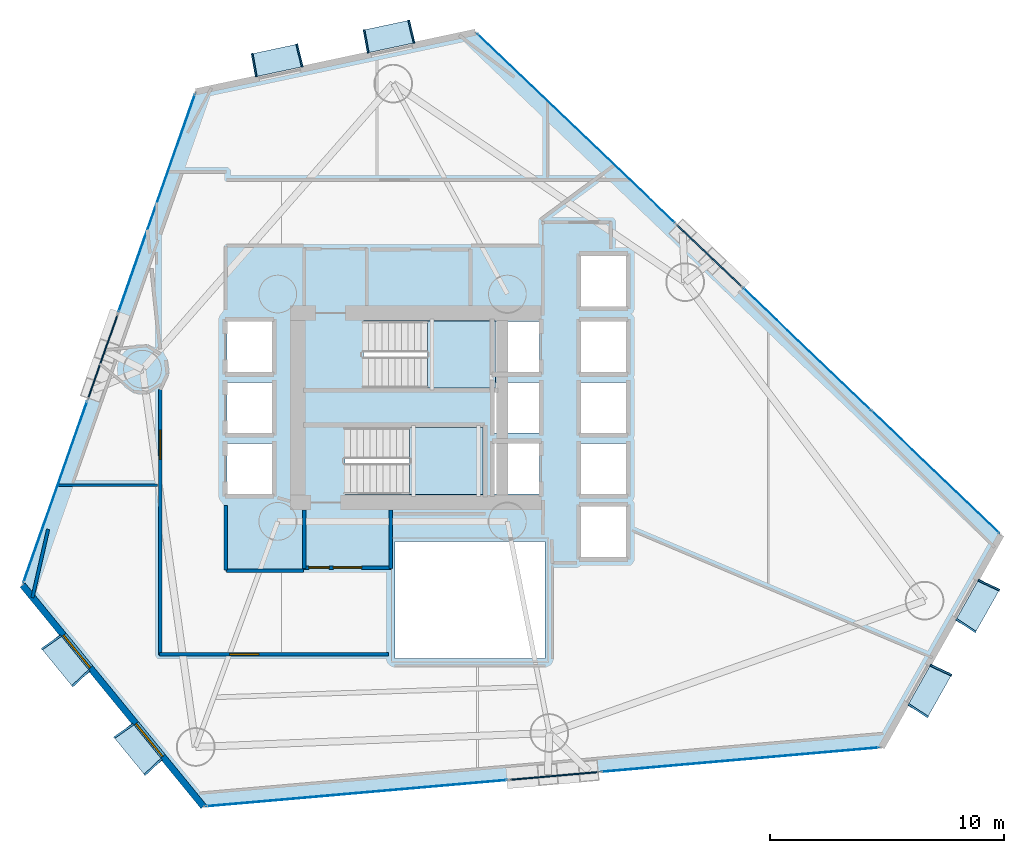
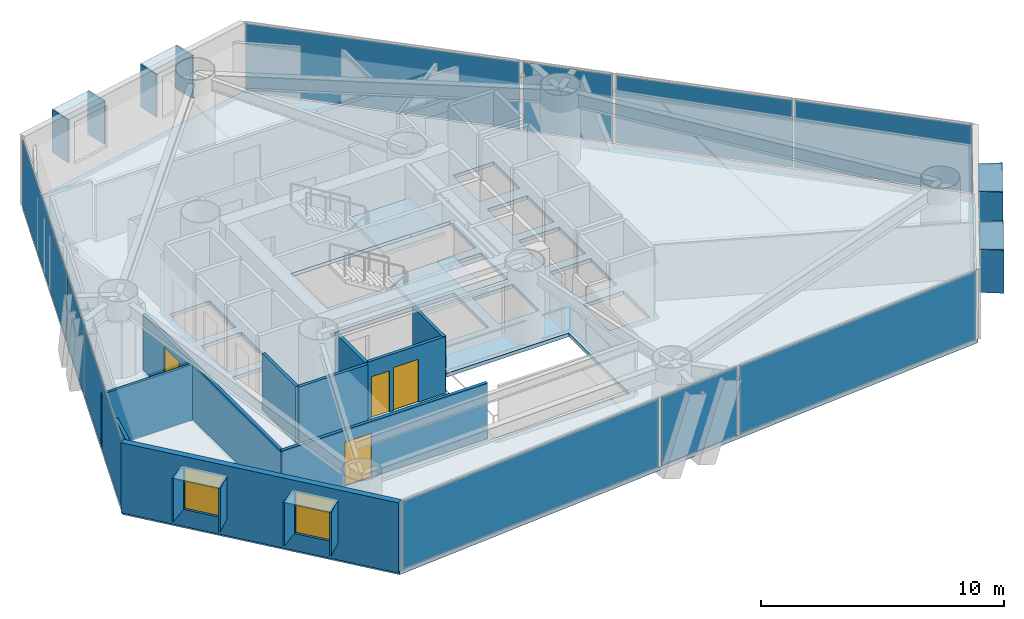
# One storey, part 17 of 23: 28 plates, 10 walls, 4 doors, 3 slabs, 2 windows, 6 openings, 11 elements without a shape of their own.
"""IFC4 building model written with IfcOpenShell, lengths in metres."""

from ifc_helpers import new_model, si_unit, direction, frame, frame_2d, origin, origin_2d, place, context, subcontext, project, spatial, polyline, rectangle, outline, extrude, material, layer, layer_set, type_object, element, fill, aggregate, save


model = new_model("IFC4")

# Units and contexts
model_context = context("Model", 3, precision=1e-05, world=origin(), true_north=direction((0.0, 1.0)))
body_context = subcontext(model_context, "Body", "Model", "MODEL_VIEW")
ifc_project = project(units=[si_unit("LENGTHUNIT", "METRE"), si_unit("AREAUNIT", "SQUARE_METRE"), si_unit("VOLUMEUNIT", "CUBIC_METRE"), si_unit("PLANEANGLEUNIT", "RADIAN"), si_unit("MASSUNIT", "GRAM", prefix="KILO")], contexts=[model_context])

# Site, building, storey
site_placement = place(None, origin())
site = spatial("IfcSite", under=ifc_project, at=site_placement, CompositionType="ELEMENT")
building_placement = place(site_placement, origin())
building = spatial("IfcBuilding", under=site, at=building_placement, Name="Qianvela Tower", CompositionType="ELEMENT")
storey_placement = place(building_placement, frame((0.0, 0.0, 63.60009765625)))
storey = spatial("IfcBuildingStorey", under=building, at=storey_placement, Name="L15", CompositionType="ELEMENT", Elevation=63.60009765625)

# Curtain wall, plate
ifc_material_1 = material(Name="Anodised Architectural Aluminium and Insulated Spandrel Panel", Category="aluminium")
ifc_layer_1 = layer(ifc_material_1, 0.179931640625)
ifc_layer_set_1 = layer_set([ifc_layer_1], Name="Anodised Architectural Aluminium and Insulated Spandrel Panel")
curtain_wall_type_1 = type_object("IfcCurtainWallType", Name="CW-BRACEBAY", PredefinedType="USERDEFINED", material=ifc_layer_set_1)
curtain_wall_1_placement = place(storey_placement, origin())
curtain_wall_1 = element("IfcCurtainWall", 1, at=curtain_wall_1_placement, inside=storey, type_object=curtain_wall_type_1, Name="L15 CW-BRACEBAY Curtain Wall 02B", ObjectType="CURTAIN_WALL_SYSTEM", PredefinedType="USERDEFINED")
ifc_material_2 = material(Name="Insulated Aluminium Spandrel Panel with Mineral-Wool Backpan", Category="aluminium")
ifc_layer_2 = layer(ifc_material_2, 0.06005859375)
ifc_layer_set_2 = layer_set([ifc_layer_2], Name="Insulated Aluminium Spandrel Panel with Mineral-Wool Backpan")
plate_type_1 = type_object("IfcPlateType", Name="CW-BRACEBAY-PNL", PredefinedType="CURTAIN_PANEL", material=ifc_layer_set_2)
plate_1_placement = place(storey_placement, frame((47.001708984375, 35.197021484375, 0.06494140625), z_axis=(0.0, 0.0, 1.0), x_axis=(-0.722810688477, 0.691046097321, 0.0)))
plate_1 = element("IfcPlate", 2, at=plate_1_placement, type_object=plate_type_1, Name="CW-9 panel 1.1", PredefinedType="CURTAIN_PANEL", context=body_context, shape_type="SweptSolid", body=[
    extrude(rectangle(XDim=3.780029296875, YDim=0.06005859375, at=origin_2d()), origin(), (0.0, 0.0, 1.0), 3.389892578125),
])
aggregate(curtain_wall_1, [plate_1])

curtain_wall_2_placement = place(storey_placement, origin())
curtain_wall_2 = element("IfcCurtainWall", 3, at=curtain_wall_2_placement, inside=storey, type_object=curtain_wall_type_1, Name="L15 CW-BRACEBAY Curtain Wall 04B", ObjectType="CURTAIN_WALL_SYSTEM", PredefinedType="USERDEFINED")
plate_2_placement = place(storey_placement, frame((21.135986328125, 30.878662109375, 0.06494140625), z_axis=(0.0, 0.0, 1.0), x_axis=(-0.331508760052, -0.943452140815, 0.0)))
plate_2 = element("IfcPlate", 4, at=plate_2_placement, type_object=plate_type_1, Name="CW-9 panel 1.1", PredefinedType="CURTAIN_PANEL", context=body_context, shape_type="SweptSolid", body=[
    extrude(rectangle(XDim=3.780029296875, YDim=0.06005859375, at=origin_2d()), origin(), (0.0, 0.0, 1.0), 3.389892578125),
])
aggregate(curtain_wall_2, [plate_2])

curtain_wall_3_placement = place(storey_placement, origin())
curtain_wall_3 = element("IfcCurtainWall", 5, at=curtain_wall_3_placement, inside=storey, type_object=curtain_wall_type_1, Name="L15 CW-BRACEBAY Curtain Wall 06B", ObjectType="CURTAIN_WALL_SYSTEM", PredefinedType="USERDEFINED")
plate_3_placement = place(storey_placement, frame((40.4013671875, 12.9892578125, 0.06494140625), z_axis=(0.0, 0.0, 1.0), x_axis=(0.996205478799, 0.087032430798, 0.0)))
plate_3 = element("IfcPlate", 6, at=plate_3_placement, type_object=plate_type_1, Name="CW-9 panel 1.1", PredefinedType="CURTAIN_PANEL", context=body_context, shape_type="SweptSolid", body=[
    extrude(rectangle(XDim=3.780029296875, YDim=0.06005859375, at=origin_2d()), origin(), (0.0, 0.0, 1.0), 3.389892578125),
])
aggregate(curtain_wall_3, [plate_3])

# Curtain wall, plates
ifc_material_3 = material(Name="Anodised Architectural Aluminium and Low-E Glass", Category="aluminium")
ifc_layer_3 = layer(ifc_material_3, 0.179931640625)
ifc_layer_set_3 = layer_set([ifc_layer_3], Name="Anodised Architectural Aluminium and Low-E Glass")
curtain_wall_type_2 = type_object("IfcCurtainWallType", Name="CW-COLIV-Z12", PredefinedType="USERDEFINED", material=ifc_layer_set_3)
curtain_wall_4_placement = place(storey_placement, origin())
curtain_wall_4 = element("IfcCurtainWall", 7, at=curtain_wall_4_placement, inside=storey, type_object=curtain_wall_type_2, Name="L15 CW-COLIV-Z12 Curtain Wall 02A", ObjectType="CURTAIN_WALL_SYSTEM", PredefinedType="USERDEFINED")
ifc_material_4 = material(Name="Double-Silver Low-E Insulated Glass", Category="glass")
ifc_layer_4 = layer(ifc_material_4, 0.030029296875)
ifc_layer_set_4 = layer_set([ifc_layer_4], Name="Double-Silver Low-E Insulated Glass")
plate_type_2 = type_object("IfcPlateType", Name="CW-COLIV-Z12-PNL", PredefinedType="CURTAIN_PANEL", material=ifc_layer_set_4)
plate_4_placement = place(storey_placement, frame((56.6640625, 25.95947265625, 0.06494140625), z_axis=(0.0, 0.0, 1.0), x_axis=(-0.722814122316, 0.691042505625, 0.0)))
plate_4 = element("IfcPlate", 8, at=plate_4_placement, type_object=plate_type_2, Name="CW-3 panel 1.1", PredefinedType="CURTAIN_PANEL", context=body_context, shape_type="SweptSolid", body=[
    extrude(rectangle(XDim=7.514892578125, YDim=0.030029296875, at=origin_2d()), origin(), (0.0, 0.0, 1.0), 3.389892578125),
])
plate_5_placement = place(storey_placement, frame((51.181396484375, 31.200927734375, 0.06494140625), z_axis=(0.0, 0.0, 1.0), x_axis=(-0.722814122316, 0.691042505625, 0.0)))
plate_5 = element("IfcPlate", 9, at=plate_5_placement, type_object=plate_type_2, Name="CW-3 panel 2.1", PredefinedType="CURTAIN_PANEL", context=body_context, shape_type="SweptSolid", body=[
    extrude(rectangle(XDim=7.514892578125, YDim=0.030029296875, at=origin_2d()), origin(), (0.0, 0.0, 1.0), 3.389892578125),
])
aggregate(curtain_wall_4, [plate_4, plate_5])

# Curtain wall, plate
curtain_wall_5_placement = place(storey_placement, origin())
curtain_wall_5 = element("IfcCurtainWall", 10, at=curtain_wall_5_placement, inside=storey, type_object=curtain_wall_type_2, Name="L15 CW-COLIV-Z12 Curtain Wall 02C", ObjectType="CURTAIN_WALL_SYSTEM", PredefinedType="USERDEFINED")
plate_6_placement = place(storey_placement, frame((41.333251953125, 40.6162109375, 0.06494140625), z_axis=(0.0, 0.0, 1.0), x_axis=(-0.722814291797, 0.691042328352, 0.0)))
plate_6 = element("IfcPlate", 11, at=plate_6_placement, type_object=plate_type_2, Name="CW-3 panel 1.1", PredefinedType="CURTAIN_PANEL", context=body_context, shape_type="SweptSolid", body=[
    extrude(rectangle(XDim=11.634521484375, YDim=0.030029296875, at=origin_2d()), origin(), (0.0, 0.0, 1.0), 3.389892578125),
])
aggregate(curtain_wall_5, [plate_6])

curtain_wall_6_placement = place(storey_placement, origin())
curtain_wall_6 = element("IfcCurtainWall", 12, at=curtain_wall_6_placement, inside=storey, type_object=curtain_wall_type_2, Name="L15 CW-COLIV-Z12 Curtain Wall 04A", ObjectType="CURTAIN_WALL_SYSTEM", PredefinedType="USERDEFINED")
plate_7_placement = place(storey_placement, frame((23.4365234375, 37.426025390625, 0.06494140625), z_axis=(0.0, 0.0, 1.0), x_axis=(-0.33150553999, -0.943453272269, 0.0)))
plate_7 = element("IfcPlate", 13, at=plate_7_placement, type_object=plate_type_2, Name="CW-3 panel 1.1", PredefinedType="CURTAIN_PANEL", context=body_context, shape_type="SweptSolid", body=[
    extrude(rectangle(XDim=9.830078125, YDim=0.030029296875, at=origin_2d()), origin(), (0.0, 0.0, 1.0), 3.389892578125),
])
aggregate(curtain_wall_6, [plate_7])

curtain_wall_7_placement = place(storey_placement, origin())
curtain_wall_7 = element("IfcCurtainWall", 14, at=curtain_wall_7_placement, inside=storey, type_object=curtain_wall_type_2, Name="L15 CW-COLIV-Z12 Curtain Wall 04C", ObjectType="CURTAIN_WALL_SYSTEM", PredefinedType="USERDEFINED")
plate_8_placement = place(storey_placement, frame((19.10791015625, 25.1064453125, 0.06494140625), z_axis=(0.0, 0.0, 1.0), x_axis=(-0.331496685961, -0.943456383304, 0.0)))
plate_8 = element("IfcPlate", 15, at=plate_8_placement, type_object=plate_type_2, Name="CW-3 panel 1.1", PredefinedType="CURTAIN_PANEL", context=body_context, shape_type="SweptSolid", body=[
    extrude(rectangle(XDim=8.185791015625, YDim=0.030029296875, at=origin_2d()), origin(), (0.0, 0.0, 1.0), 3.389892578125),
])
aggregate(curtain_wall_7, [plate_8])

curtain_wall_8_placement = place(storey_placement, origin())
curtain_wall_8 = element("IfcCurtainWall", 16, at=curtain_wall_8_placement, inside=storey, type_object=curtain_wall_type_2, Name="L15 CW-COLIV-Z12 Curtain Wall 06A", ObjectType="CURTAIN_WALL_SYSTEM", PredefinedType="USERDEFINED")
plate_9_placement = place(storey_placement, frame((31.968505859375, 12.25244140625, 0.06494140625), z_axis=(0.0, 0.0, 1.0), x_axis=(0.996205896027, 0.087027654918, 0.0)))
plate_9 = element("IfcPlate", 17, at=plate_9_placement, type_object=plate_type_2, Name="CW-3 panel 1.1", PredefinedType="CURTAIN_PANEL", context=body_context, shape_type="SweptSolid", body=[
    extrude(rectangle(XDim=12.8798828125, YDim=0.030029296875, at=origin_2d()), origin(), (0.0, 0.0, 1.0), 3.389892578125),
])
aggregate(curtain_wall_8, [plate_9])

curtain_wall_9_placement = place(storey_placement, origin())
curtain_wall_9 = element("IfcCurtainWall", 18, at=curtain_wall_9_placement, inside=storey, type_object=curtain_wall_type_2, Name="L15 CW-COLIV-Z12 Curtain Wall 06C", ObjectType="CURTAIN_WALL_SYSTEM", PredefinedType="USERDEFINED")
plate_10_placement = place(storey_placement, frame((48.3291015625, 13.681884765625, 0.06494140625), z_axis=(0.0, 0.0, 1.0), x_axis=(0.996205344474, 0.087033968319, 0.0)))
plate_10 = element("IfcPlate", 19, at=plate_10_placement, type_object=plate_type_2, Name="CW-3 panel 1.1", PredefinedType="CURTAIN_PANEL", context=body_context, shape_type="SweptSolid", body=[
    extrude(rectangle(XDim=11.86572265625, YDim=0.030029296875, at=origin_2d()), origin(), (0.0, 0.0, 1.0), 3.389892578125),
])
aggregate(curtain_wall_9, [plate_10])

# Slab
ifc_material_5 = material(Name="Concrete C40", Category="concrete")
ifc_layer_5 = layer(ifc_material_5, 0.179931640625)
ifc_layer_set_5 = layer_set([ifc_layer_5], Name="Concrete C40")
slab_type_1 = type_object("IfcSlabType", Name="SL-FLOOR-180", PredefinedType="FLOOR", material=ifc_layer_set_5)
slab_1_placement = place(storey_placement, frame((0.0, 0.0, -0.18017578125)))
element("IfcSlab", 20, at=slab_1_placement, inside=storey, type_object=slab_type_1, Name="L15 Composite Structural Floor Slab", PredefinedType="FLOOR", context=body_context, shape_type="SweptSolid", body=[
    extrude(outline(polyline([(54.35888671875, 14.208740234375), (59.466796875, 23.27978515625), (37.041748046875, 44.71923828125), (25.105712890625, 42.176513671875), (17.711181640625, 21.1318359375), (25.433349609375, 11.681640625), (54.35888671875, 14.208740234375)]), holes=[polyline([(40.0, 23.0), (33.60009765625, 23.0), (33.60009765625, 18.0), (40.0, 18.0), (40.0, 23.0)]), polyline([(28.360107421875, 25.02001953125), (28.360107421875, 27.179931640625), (26.43994140625, 27.179931640625), (26.43994140625, 25.02001953125), (28.360107421875, 25.02001953125)]), polyline([(37.35009765625, 25.0), (37.35009765625, 27.860107421875), (31.469970703125, 27.860107421875), (31.469970703125, 25.0), (37.35009765625, 25.0)]), polyline([(28.360107421875, 27.6201171875), (28.360107421875, 29.780029296875), (26.43994140625, 29.780029296875), (26.43994140625, 27.6201171875), (28.360107421875, 27.6201171875)]), polyline([(37.89990234375, 32.3798828125), (37.89990234375, 32.39990234375), (32.25, 32.39990234375), (32.25, 29.5400390625), (37.840087890625, 29.5400390625), (37.840087890625, 27.6201171875), (39.760009765625, 27.6201171875), (39.760009765625, 29.780029296875), (37.89990234375, 29.780029296875), (37.89990234375, 30.219970703125), (39.760009765625, 30.219970703125), (39.760009765625, 32.3798828125), (37.89990234375, 32.3798828125)]), polyline([(28.360107421875, 30.219970703125), (28.360107421875, 32.3798828125), (26.43994140625, 32.3798828125), (26.43994140625, 30.219970703125), (28.360107421875, 30.219970703125)]), polyline([(43.4599609375, 24.47998046875), (41.5400390625, 24.47998046875), (41.5400390625, 22.320068359375), (43.4599609375, 22.320068359375), (43.4599609375, 24.47998046875)]), polyline([(39.760009765625, 25.02001953125), (39.760009765625, 27.179931640625), (37.840087890625, 27.179931640625), (37.840087890625, 25.02001953125), (39.760009765625, 25.02001953125)]), polyline([(43.4599609375, 25.02001953125), (43.4599609375, 27.179931640625), (41.5400390625, 27.179931640625), (41.5400390625, 25.02001953125), (43.4599609375, 25.02001953125)]), polyline([(43.4599609375, 27.6201171875), (43.4599609375, 29.780029296875), (41.5400390625, 29.780029296875), (41.5400390625, 27.6201171875), (43.4599609375, 27.6201171875)]), polyline([(43.4599609375, 30.219970703125), (43.4599609375, 32.3798828125), (41.5400390625, 32.3798828125), (41.5400390625, 30.219970703125), (43.4599609375, 30.219970703125)]), polyline([(43.4599609375, 33.02001953125), (43.4599609375, 35.179931640625), (41.5400390625, 35.179931640625), (41.5400390625, 33.02001953125), (43.4599609375, 33.02001953125)])]), origin(), (0.0, 0.0, 1.0), 0.18017578125),
])

# Stair, slab
ifc_material_6 = material(Name="Concrete C40", Category="concrete")
stair_type = type_object("IfcStairType", Name="ST-DOGLEG-1350-R168-N22", PredefinedType="HALF_TURN_STAIR", material=ifc_material_6)
stair_1_placement = place(storey_placement, origin())
stair_1 = element("IfcStair", 21, at=stair_1_placement, inside=storey, type_object=stair_type, Name="L15 Smoke-Proof Core Stair ST-1", PredefinedType="HALF_TURN_STAIR")
ifc_material_7 = material(Name="Concrete C40", Category="concrete")
ifc_layer_6 = layer(ifc_material_7, 0.199951171875)
ifc_layer_set_6 = layer_set([ifc_layer_6], Name="Concrete C40")
slab_type_2 = type_object("IfcSlabType", Name="SL-STAIR-LANDING-200", PredefinedType="LANDING", material=ifc_layer_set_6)
slab_2_placement = place(storey_placement, frame((0.0, 0.0, 1.64990234375)))
slab_2 = element("IfcSlab", 22, at=slab_2_placement, type_object=slab_type_2, Name="ST-1 landing 1", PredefinedType="LANDING", context=body_context, shape_type="SweptSolid", body=[
    extrude(outline(polyline([(35.0, 29.5400390625), (37.89990234375, 29.5400390625), (37.89990234375, 32.39990234375), (35.0, 32.39990234375), (35.0, 29.5400390625)])), origin(), (0.0, 0.0, 1.0), 0.199951171875),
])
aggregate(stair_1, [slab_2])

stair_2_placement = place(storey_placement, origin())
stair_2 = element("IfcStair", 23, at=stair_2_placement, inside=storey, type_object=stair_type, Name="L15 Smoke-Proof Core Stair ST-2", PredefinedType="HALF_TURN_STAIR")
slab_3_placement = place(storey_placement, frame((0.0, 0.0, 1.64990234375)))
slab_3 = element("IfcSlab", 24, at=slab_3_placement, type_object=slab_type_2, Name="ST-2 landing 1", PredefinedType="LANDING", context=body_context, shape_type="SweptSolid", body=[
    extrude(outline(polyline([(34.219970703125, 25.0), (37.35009765625, 25.0), (37.35009765625, 27.860107421875), (34.219970703125, 27.860107421875), (34.219970703125, 25.0)])), origin(), (0.0, 0.0, 1.0), 0.199951171875),
])
aggregate(stair_2, [slab_3])

# Plates
ifc_material_8 = material(Name="Vitrified Architectural Terracotta Panel", Category="masonry")
ifc_layer_7 = layer(ifc_material_8, 0.06494140625)
ifc_layer_set_7 = layer_set([ifc_layer_7], Name="Vitrified Architectural Terracotta Panel")
plate_type_3 = type_object("IfcPlateType", Name="TERRACOTTA-SUNSHADE-HOOD-FOLD-B", PredefinedType="USERDEFINED", material=ifc_layer_set_7)
for number, where, z_axis, x_axis, name in (
    (25, (33.3369140625, 44.538330078125, 2.9599609375), (0.0, 0.0, 1.0), (-0.97805242539, -0.208358952745, 0.0), "L15 Terracotta Sunshade Hood FOLD-B"),
    (26, (28.5625, 43.521240234375, 2.9599609375), (0.0, 0.0, 1.0), (-0.97805242539, -0.208358952745, 0.0), "L15 Terracotta Sunshade Hood FOLD-B"),
):
    element("IfcPlate", number, at=place(storey_placement, frame(where, z_axis=z_axis, x_axis=x_axis)), inside=storey, type_object=plate_type_3, Name=name, ObjectType="SUNSHADE", PredefinedType="USERDEFINED", context=body_context, shape_type="SweptSolid", body=[
        extrude(rectangle(XDim=2.0400390625, YDim=0.989990234375, at=origin_2d()), origin(), (0.0, 0.0, 1.0), 0.06005859375),
    ])
ifc_material_9 = material(Name="Vitrified Architectural Terracotta Panel", Category="masonry")
ifc_layer_8 = layer(ifc_material_9, 0.074951171875)
ifc_layer_set_8 = layer_set([ifc_layer_8], Name="Vitrified Architectural Terracotta Panel")
plate_type_4 = type_object("IfcPlateType", Name="TERRACOTTA-SUNSHADE-HOOD-FOLD-D", PredefinedType="USERDEFINED", material=ifc_layer_set_8)
for number, where, z_axis, x_axis, name in (
    (27, (56.40966796875, 16.63818359375, 2.9599609375), (0.0, 0.0, 1.0), (0.490648279285, 0.871357714165, 0.0), "L15 Terracotta Sunshade Hood FOLD-D"),
    (28, (58.452880859375, 20.2666015625, 2.9599609375), (0.0, 0.0, 1.0), (0.490648279285, 0.871357714165, 0.0), "L15 Terracotta Sunshade Hood FOLD-D"),
    (29, (19.567138671875, 17.920166015625, 2.9599609375), (0.0, 0.0, 1.0), (0.632758038332, -0.774349575403, 0.0), "L15 Terracotta Sunshade Hood FOLD-D"),
    (30, (22.656005859375, 14.14013671875, 2.9599609375), (0.0, 0.0, 1.0), (0.632758038332, -0.774349575403, 0.0), "L15 Terracotta Sunshade Hood FOLD-D"),
):
    element("IfcPlate", number, at=place(storey_placement, frame(where, z_axis=z_axis, x_axis=x_axis)), inside=storey, type_object=plate_type_4, Name=name, ObjectType="SUNSHADE", PredefinedType="USERDEFINED", context=body_context, shape_type="SweptSolid", body=[
        extrude(rectangle(XDim=2.0400390625, YDim=0.989990234375, at=origin_2d()), origin(), (0.0, 0.0, 1.0), 0.06005859375),
    ])
ifc_material_10 = material(Name="Vitrified Architectural Terracotta Side Fin Panel", Category="masonry")
ifc_layer_9 = layer(ifc_material_10, 0.070068359375)
ifc_layer_set_9 = layer_set([ifc_layer_9], Name="Vitrified Architectural Terracotta Side Fin Panel")
plate_type_5 = type_object("IfcPlateType", Name="TERRACOTTA-SUNSHADE-STRUT-FOLD-B", PredefinedType="USERDEFINED", material=ifc_layer_set_9)
for number, where, z_axis, x_axis, name in (
    (31, (34.305419921875, 44.74462890625, 0.85009765625), (0.0, 0.0, 1.0), (-0.971233280146, -0.238130039133, 0.0), "L15 Terracotta Sunshade Side Fin HL FOLD-B"),
    (32, (32.36865234375, 44.33203125, 0.85009765625), (0.0, 0.0, 1.0), (-0.983959225407, -0.178393505308, 0.0), "L15 Terracotta Sunshade Side Fin HR FOLD-B"),
    (33, (29.53076171875, 43.7275390625, 0.85009765625), (0.0, 0.0, 1.0), (-0.971233280146, -0.238130039133, 0.0), "L15 Terracotta Sunshade Side Fin HL FOLD-B"),
    (34, (27.59423828125, 43.31494140625, 0.85009765625), (0.0, 0.0, 1.0), (-0.983959225407, -0.178393505308, 0.0), "L15 Terracotta Sunshade Side Fin HR FOLD-B"),
):
    element("IfcPlate", number, at=place(storey_placement, frame(where, z_axis=z_axis, x_axis=x_axis)), inside=storey, type_object=plate_type_5, Name=name, ObjectType="SUNSHADE", PredefinedType="USERDEFINED", context=body_context, shape_type="SweptSolid", body=[
        extrude(rectangle(XDim=0.070068359375, YDim=1.010009765625, at=origin_2d()), origin(), (0.0, 0.0, 1.0), 2.159912109375),
    ])
ifc_material_11 = material(Name="Vitrified Architectural Terracotta Side Fin Panel", Category="masonry")
ifc_layer_10 = layer(ifc_material_11, 0.080078125)
ifc_layer_set_10 = layer_set([ifc_layer_10], Name="Vitrified Architectural Terracotta Side Fin Panel")
plate_type_6 = type_object("IfcPlateType", Name="TERRACOTTA-SUNSHADE-STRUT-FOLD-D", PredefinedType="USERDEFINED", material=ifc_layer_set_10)
for number, where, z_axis, x_axis, name in (
    (35, (55.924072265625, 15.775390625, 0.85009765625), (0.0, 0.0, 1.0), (0.553874091952, 0.832600438544, 0.0), "L15 Terracotta Sunshade Side Fin HL FOLD-D"),
    (36, (56.8955078125, 17.500732421875, 0.85009765625), (0.0, 0.0, 1.0), (0.424724082718, 0.905322844934, 0.0), "L15 Terracotta Sunshade Side Fin HR FOLD-D"),
    (37, (57.967041015625, 19.40380859375, 0.85009765625), (0.0, 0.0, 1.0), (0.553874091952, 0.832600438544, 0.0), "L15 Terracotta Sunshade Side Fin HL FOLD-D"),
    (38, (58.938720703125, 21.129150390625, 0.85009765625), (0.0, 0.0, 1.0), (0.424724082718, 0.905322844934, 0.0), "L15 Terracotta Sunshade Side Fin HR FOLD-D"),
    (39, (18.940673828125, 18.68701171875, 0.85009765625), (0.0, 0.0, 1.0), (0.573632192933, -0.819113000282, 0.0), "L15 Terracotta Sunshade Side Fin HL FOLD-D"),
    (40, (20.193603515625, 17.153564453125, 0.85009765625), (0.0, 0.0, 1.0), (0.688403948766, -0.725327514522, 0.0), "L15 Terracotta Sunshade Side Fin HR FOLD-D"),
    (41, (22.029541015625, 14.90673828125, 0.85009765625), (0.0, 0.0, 1.0), (0.573632192933, -0.819113000282, 0.0), "L15 Terracotta Sunshade Side Fin HL FOLD-D"),
    (42, (23.282470703125, 13.37353515625, 0.85009765625), (0.0, 0.0, 1.0), (0.688403948766, -0.725327514522, 0.0), "L15 Terracotta Sunshade Side Fin HR FOLD-D"),
):
    element("IfcPlate", number, at=place(storey_placement, frame(where, z_axis=z_axis, x_axis=x_axis)), inside=storey, type_object=plate_type_6, Name=name, ObjectType="SUNSHADE", PredefinedType="USERDEFINED", context=body_context, shape_type="SweptSolid", body=[
        extrude(rectangle(XDim=0.080078125, YDim=1.010009765625, at=origin_2d()), origin(), (0.0, 0.0, 1.0), 2.159912109375),
    ])

# Wall, openings, windows
ifc_material_12 = material(Name="Terracotta Cladding on Concrete C40", Category="masonry")
ifc_layer_11 = layer(ifc_material_12, 0.280029296875)
ifc_layer_set_11 = layer_set([ifc_layer_11], Name="Terracotta Cladding on Concrete C40")
wall_type_1 = type_object("IfcWallType", Name="TERRACOTTA-WALL-280", PredefinedType="SOLIDWALL", material=ifc_layer_set_11)
wall_1_placement = place(storey_placement, frame((17.711181640625, 21.1318359375, 0.0), z_axis=(0.0, 0.0, 1.0), x_axis=(0.632756162737, -0.774351108037, 0.0)))
wall_1 = element("IfcWall", 43, at=wall_1_placement, inside=storey, type_object=wall_type_1, Name="L15 Terracotta Chamfer Facet Wall 5", PredefinedType="SOLIDWALL", context=body_context, shape_type="SweptSolid", body=[
    extrude(rectangle(XDim=12.2041015625, YDim=0.280029296875, at=frame_2d((6.10205078125, 0.0))), origin(), (0.0, 0.0, 1.0), 3.52001953125),
])
opening_1_placement = place(wall_1_placement, frame((2.76123046875, 0.0, 0.85009765625)))
opening_1 = element("IfcOpeningElement", 44, at=opening_1_placement, cuts=wall_1, Name="Opening W-01", PredefinedType="OPENING", context=body_context, shape_type="SweptSolid", body=[
    extrude(rectangle(XDim=1.800048828125, YDim=2.10009765625, at=frame_2d((0.89990234375, 1.050048828125))), frame((0.0, 0.14990234375, 0.0), z_axis=(0.0, -1.0, 0.0), x_axis=(1.0, 0.0, 0.0)), (0.0, 0.0, 1.0), 0.300048828125),
])
opening_2_placement = place(wall_1_placement, frame((7.642822265625, 0.0, 0.85009765625)))
opening_2 = element("IfcOpeningElement", 45, at=opening_2_placement, cuts=wall_1, Name="Opening W-01", PredefinedType="OPENING", context=body_context, shape_type="SweptSolid", body=[
    extrude(rectangle(XDim=1.800048828125, YDim=2.10009765625, at=frame_2d((0.89990234375, 1.050048828125))), frame((0.0, 0.14990234375, 0.0), z_axis=(0.0, -1.0, 0.0), x_axis=(1.0, 0.0, 0.0)), (0.0, 0.0, 1.0), 0.300048828125),
])
ifc_material_13 = material(Name="Thermally Broken Aluminium and Low-E Glass", Category="aluminium")
window_type = type_object("IfcWindowType", Name="WIN-TC-1800x2100", PartitioningType="DOUBLE_PANEL_VERTICAL", PredefinedType="WINDOW", material=ifc_material_13)
window_1_placement = place(opening_1_placement, origin())
window_1 = element("IfcWindow", 46, at=window_1_placement, inside=storey, type_object=window_type, Name="L15 Chamfer Facet Window 5.1", OverallHeight=2.10009765625, OverallWidth=1.800048828125, PartitioningType="SINGLE_PANEL", PredefinedType="WINDOW", context=body_context, shape_type="SweptSolid", body=[
    extrude(rectangle(XDim=1.800048828125, YDim=2.10009765625, at=frame_2d((0.89990234375, 1.050048828125))), frame((0.0, 0.030029296875, 0.0), z_axis=(0.0, -1.0, 0.0), x_axis=(1.0, 0.0, 0.0)), (0.0, 0.0, 1.0), 0.06005859375),
])
fill(opening_1, window_1)
window_2_placement = place(opening_2_placement, origin())
window_2 = element("IfcWindow", 47, at=window_2_placement, inside=storey, type_object=window_type, Name="L15 Chamfer Facet Window 5.2", OverallHeight=2.10009765625, OverallWidth=1.800048828125, PartitioningType="SINGLE_PANEL", PredefinedType="WINDOW", context=body_context, shape_type="SweptSolid", body=[
    extrude(rectangle(XDim=1.800048828125, YDim=2.10009765625, at=frame_2d((0.89990234375, 1.050048828125))), frame((0.0, 0.030029296875, 0.0), z_axis=(0.0, -1.0, 0.0), x_axis=(1.0, 0.0, 0.0)), (0.0, 0.0, 1.0), 0.06005859375),
])
fill(opening_2, window_2)

# Wall, openings, doors
ifc_material_14 = material(Name="Fire-Rated Acoustic Gypsum Board")
ifc_layer_12 = layer(ifc_material_14, 0.14990234375)
ifc_layer_set_12 = layer_set([ifc_layer_12], Name="Fire-Rated Acoustic Gypsum Board")
wall_type_2 = type_object("IfcWallType", Name="WT-CORR-150", PredefinedType="PARTITIONING", material=ifc_layer_set_12)
wall_2_placement = place(storey_placement, frame((33.449951171875, 21.881103515625, 0.0), z_axis=(0.0, 0.0, 1.0), x_axis=(-1.0, 0.0, 0.0)))
wall_2 = element("IfcWall", 48, at=wall_2_placement, inside=storey, type_object=wall_type_2, Name="L15 Partition 5", PredefinedType="PARTITIONING", context=body_context, shape_type="SweptSolid", body=[
    extrude(rectangle(XDim=3.75, YDim=0.14990234375, at=frame_2d((1.875, 0.0))), origin(), (0.0, 0.0, 1.0), 2.83984375),
])
opening_3_placement = place(wall_2_placement, frame((1.27490234375, 0.0, 0.0)))
opening_3 = element("IfcOpeningElement", 49, at=opening_3_placement, cuts=wall_2, Name="Opening D-LB1", PredefinedType="OPENING", context=body_context, shape_type="SweptSolid", body=[
    extrude(rectangle(XDim=1.199951171875, YDim=2.14990234375, at=frame_2d((0.60009765625, 1.074951171875))), frame((0.0, 0.0849609375, 0.0), z_axis=(0.0, -1.0, 0.0), x_axis=(1.0, 0.0, 0.0)), (0.0, 0.0, 1.0), 0.169921875),
])
opening_4_placement = place(wall_2_placement, frame((2.659912109375, 0.0, 0.0)))
opening_4 = element("IfcOpeningElement", 50, at=opening_4_placement, cuts=wall_2, Name="Opening D-LB2", PredefinedType="OPENING", context=body_context, shape_type="SweptSolid", body=[
    extrude(rectangle(XDim=0.860107421875, YDim=2.050048828125, at=frame_2d((0.43017578125, 1.02490234375))), frame((0.0, 0.0849609375, 0.0), z_axis=(0.0, -1.0, 0.0), x_axis=(1.0, 0.0, 0.0)), (0.0, 0.0, 1.0), 0.169921875),
])
ifc_material_15 = material(Name="Glazed Fire-Rated Steel Frame", Category="steel")
door_type_1 = type_object("IfcDoorType", Name="DT-LOBBY-FD90", OperationType="NOTDEFINED", PredefinedType="DOOR", material=ifc_material_15)
door_1_placement = place(opening_3_placement, origin())
door_1 = element("IfcDoor", 51, at=door_1_placement, inside=storey, type_object=door_type_1, Name="L15 Door L15 Firefighting Lobby South to L15 Floor Corridor", OperationType="SINGLE_SWING_RIGHT", OverallHeight=2.14990234375, OverallWidth=1.199951171875, PredefinedType="DOOR", context=body_context, shape_type="SweptSolid", body=[
    extrude(rectangle(XDim=1.199951171875, YDim=2.14990234375, at=frame_2d((0.60009765625, 1.074951171875))), frame((0.0, 0.02490234375, 0.0), z_axis=(0.0, -1.0, 0.0), x_axis=(1.0, 0.0, 0.0)), (0.0, 0.0, 1.0), 0.050048828125),
])
fill(opening_3, door_1)
ifc_material_16 = material(Name="Insulated Steel Fire Door Q355B", Category="steel")
door_type_2 = type_object("IfcDoorType", Name="DT-LOBBY-FD90-860", OperationType="NOTDEFINED", PredefinedType="DOOR", material=ifc_material_16)
door_2_placement = place(opening_4_placement, origin())
door_2 = element("IfcDoor", 52, at=door_2_placement, inside=storey, type_object=door_type_2, Name="L15 Door L15 Firefighting Lobby South to L15 Floor Corridor", OperationType="SINGLE_SWING_LEFT", OverallHeight=2.050048828125, OverallWidth=0.860107421875, PredefinedType="DOOR", context=body_context, shape_type="SweptSolid", body=[
    extrude(rectangle(XDim=0.860107421875, YDim=2.050048828125, at=frame_2d((0.43017578125, 1.02490234375))), frame((0.0, 0.02490234375, 0.0), z_axis=(0.0, -1.0, 0.0), x_axis=(1.0, 0.0, 0.0)), (0.0, 0.0, 1.0), 0.050048828125),
])
fill(opening_4, door_2)

# Walls
for number, where, z_axis, x_axis, name in (
    (53, (29.73095703125, 21.85009765625, 0.0), (0.0, 0.0, 1.0), (0.0, 1.0, 0.0), "L15 Partition 6"),
    (54, (33.4189453125, 24.342041015625, 0.0), (0.0, 0.0, 1.0), (0.0, -1.0, 0.0), "L15 Partition 8"),
):
    element("IfcWall", number, at=place(storey_placement, frame(where, z_axis=z_axis, x_axis=x_axis)), inside=storey, type_object=wall_type_2, Name=name, PredefinedType="PARTITIONING", context=body_context, shape_type="SweptSolid", body=[
        extrude(rectangle(XDim=2.491943359375, YDim=0.14990234375, at=frame_2d((1.24609375, 0.0))), origin(), (0.0, 0.0, 1.0), 2.83984375),
    ])
wall_3_placement = place(storey_placement, frame((26.388916015625, 24.530517578125, 0.0), z_axis=(0.0, 0.0, 1.0), x_axis=(0.0, -1.0, 0.0)))
element("IfcWall", 55, at=wall_3_placement, inside=storey, type_object=wall_type_2, Name="L15 Partition 44", PredefinedType="PARTITIONING", context=body_context, shape_type="SweptSolid", body=[
    extrude(rectangle(XDim=2.75048828125, YDim=0.14990234375, at=frame_2d((1.375244140625, 0.0))), origin(), (0.0, 0.0, 1.0), 2.83984375),
])
wall_4_placement = place(storey_placement, frame((26.419921875, 21.7490234375, 0.0), z_axis=(0.0, 0.0, 1.0), x_axis=(1.0, 0.0, 0.0)))
element("IfcWall", 56, at=wall_4_placement, inside=storey, type_object=wall_type_2, Name="L15 Partition 45 seg 1", PredefinedType="PARTITIONING", context=body_context, shape_type="SweptSolid", body=[
    extrude(rectangle(XDim=3.280029296875, YDim=0.14990234375, at=frame_2d((1.64013671875, 0.0))), origin(), (0.0, 0.0, 1.0), 2.83984375),
])

# Wall, opening, door
wall_5_placement = place(storey_placement, frame((33.320068359375, 18.180908203125, 0.0), z_axis=(0.0, 0.0, 1.0), x_axis=(-1.0, 0.0, 0.0)))
wall_5 = element("IfcWall", 57, at=wall_5_placement, inside=storey, type_object=wall_type_2, Name="L15 Partition 46", PredefinedType="PARTITIONING", context=body_context, shape_type="SweptSolid", body=[
    extrude(rectangle(XDim=9.77001953125, YDim=0.14990234375, at=frame_2d((4.885009765625, 0.0))), origin(), (0.0, 0.0, 1.0), 2.7978515625),
])
opening_5_placement = place(wall_5_placement, frame((5.52001953125, 0.0, 0.0)))
opening_5 = element("IfcOpeningElement", 58, at=opening_5_placement, cuts=wall_5, Name="Opening D-LG1", PredefinedType="OPENING", context=body_context, shape_type="SweptSolid", body=[
    extrude(rectangle(XDim=1.25, YDim=2.199951171875, at=frame_2d((0.625, 1.10009765625))), frame((0.0, 0.0849609375, 0.0), z_axis=(0.0, -1.0, 0.0), x_axis=(1.0, 0.0, 0.0)), (0.0, 0.0, 1.0), 0.169921875),
])
ifc_material_17 = material(Name="Anodised Aluminium Acoustic Glass Door", Category="aluminium")
door_type_3 = type_object("IfcDoorType", Name="DT-LOUNGE-1250", OperationType="NOTDEFINED", PredefinedType="DOOR", material=ifc_material_17)
door_3_placement = place(opening_5_placement, origin())
door_3 = element("IfcDoor", 59, at=door_3_placement, inside=storey, type_object=door_type_3, Name="L15 Door Student Fitness Gym L15-01 to L15 Floor Corridor", OperationType="SINGLE_SWING_RIGHT", OverallHeight=2.199951171875, OverallWidth=1.25, PredefinedType="DOOR", context=body_context, shape_type="SweptSolid", body=[
    extrude(rectangle(XDim=1.25, YDim=2.199951171875, at=frame_2d((0.625, 1.10009765625))), frame((0.0, 0.02490234375, 0.0), z_axis=(0.0, -1.0, 0.0), x_axis=(1.0, 0.0, 0.0)), (0.0, 0.0, 1.0), 0.050048828125),
])
fill(opening_5, door_3)

wall_6_placement = place(storey_placement, frame((23.5810546875, 18.14990234375, 0.0), z_axis=(0.0, 0.0, 1.0), x_axis=(0.0, 1.0, 0.0)))
wall_6 = element("IfcWall", 60, at=wall_6_placement, inside=storey, type_object=wall_type_2, Name="L15 Partition 47", PredefinedType="PARTITIONING", context=body_context, shape_type="SweptSolid", body=[
    extrude(rectangle(XDim=11.3330078125, YDim=0.14990234375, at=frame_2d((5.66650390625, 0.0))), origin(), (0.0, 0.0, 1.0), 2.7978515625),
])
opening_6_placement = place(wall_6_placement, frame((8.34912109375, 0.0, 0.0)))
opening_6 = element("IfcOpeningElement", 61, at=opening_6_placement, cuts=wall_6, Name="Opening D-LG1", PredefinedType="OPENING", context=body_context, shape_type="SweptSolid", body=[
    extrude(rectangle(XDim=1.25, YDim=2.199951171875, at=frame_2d((0.625, 1.10009765625))), frame((0.0, 0.0849609375, 0.0), z_axis=(0.0, -1.0, 0.0), x_axis=(1.0, 0.0, 0.0)), (0.0, 0.0, 1.0), 0.169921875),
])
door_4_placement = place(opening_6_placement, origin())
door_4 = element("IfcDoor", 62, at=door_4_placement, inside=storey, type_object=door_type_3, Name="L15 Door Media Practice Cinema L15-04 to L15 Floor Corridor", OperationType="SINGLE_SWING_RIGHT", OverallHeight=2.199951171875, OverallWidth=1.25, PredefinedType="DOOR", context=body_context, shape_type="SweptSolid", body=[
    extrude(rectangle(XDim=1.25, YDim=2.199951171875, at=frame_2d((0.625, 1.10009765625))), frame((0.0, 0.02490234375, 0.0), z_axis=(0.0, -1.0, 0.0), x_axis=(1.0, 0.0, 0.0)), (0.0, 0.0, 1.0), 0.050048828125),
])
fill(opening_6, door_4)

# Walls
ifc_material_18 = material(Name="Insulated Gypsum Stud Partition")
ifc_layer_13 = layer(ifc_material_18, 0.1201171875)
ifc_layer_set_13 = layer_set([ifc_layer_13], Name="Insulated Gypsum Stud Partition")
wall_type_3 = type_object("IfcWallType", Name="WT-PART-120", PredefinedType="PARTITIONING", material=ifc_layer_set_13)
wall_7_placement = place(storey_placement, frame((19.188232421875, 25.39208984375, 0.0), z_axis=(0.0, 0.0, 1.0), x_axis=(1.0, 0.0, 0.0)))
element("IfcWall", 63, at=wall_7_placement, inside=storey, type_object=wall_type_3, Name="L15 Partition 54", PredefinedType="PARTITIONING", context=body_context, shape_type="SweptSolid", body=[
    extrude(rectangle(XDim=4.28173828125, YDim=0.1201171875, at=frame_2d((2.140869140625, 0.0))), origin(), (0.0, 0.0, 1.0), 2.7978515625),
])
ifc_material_19 = material(Name="Acoustic Double Gypsum Stud Partition")
ifc_layer_14 = layer(ifc_material_19, 0.139892578125)
ifc_layer_set_14 = layer_set([ifc_layer_14], Name="Acoustic Double Gypsum Stud Partition")
wall_type_4 = type_object("IfcWallType", Name="WT-ROOM-140", PredefinedType="PARTITIONING", material=ifc_layer_set_14)
wall_8_placement = place(storey_placement, frame((18.131591796875, 20.59033203125, 0.0), z_axis=(0.0, 0.0, 1.0), x_axis=(0.223748161746, 0.974646992565, 0.0)))
element("IfcWall", 64, at=wall_8_placement, inside=storey, type_object=wall_type_4, Name="L15 Partition 53 seg 1", PredefinedType="PARTITIONING", context=body_context, shape_type="SweptSolid", body=[
    extrude(rectangle(XDim=3.000732421875, YDim=0.139892578125, at=frame_2d((1.50048828125, 0.0))), origin(), (0.0, 0.0, 1.0), 2.83984375),
])

save(model, "model.ifc")
